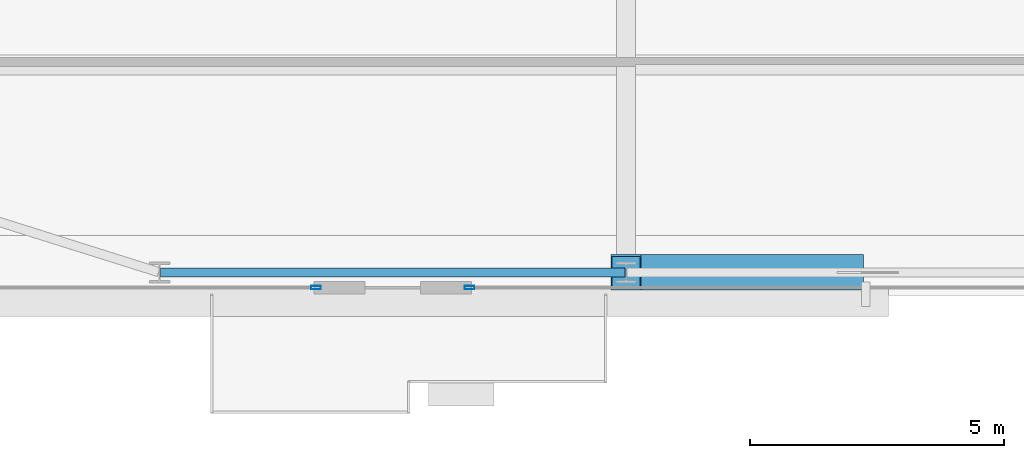
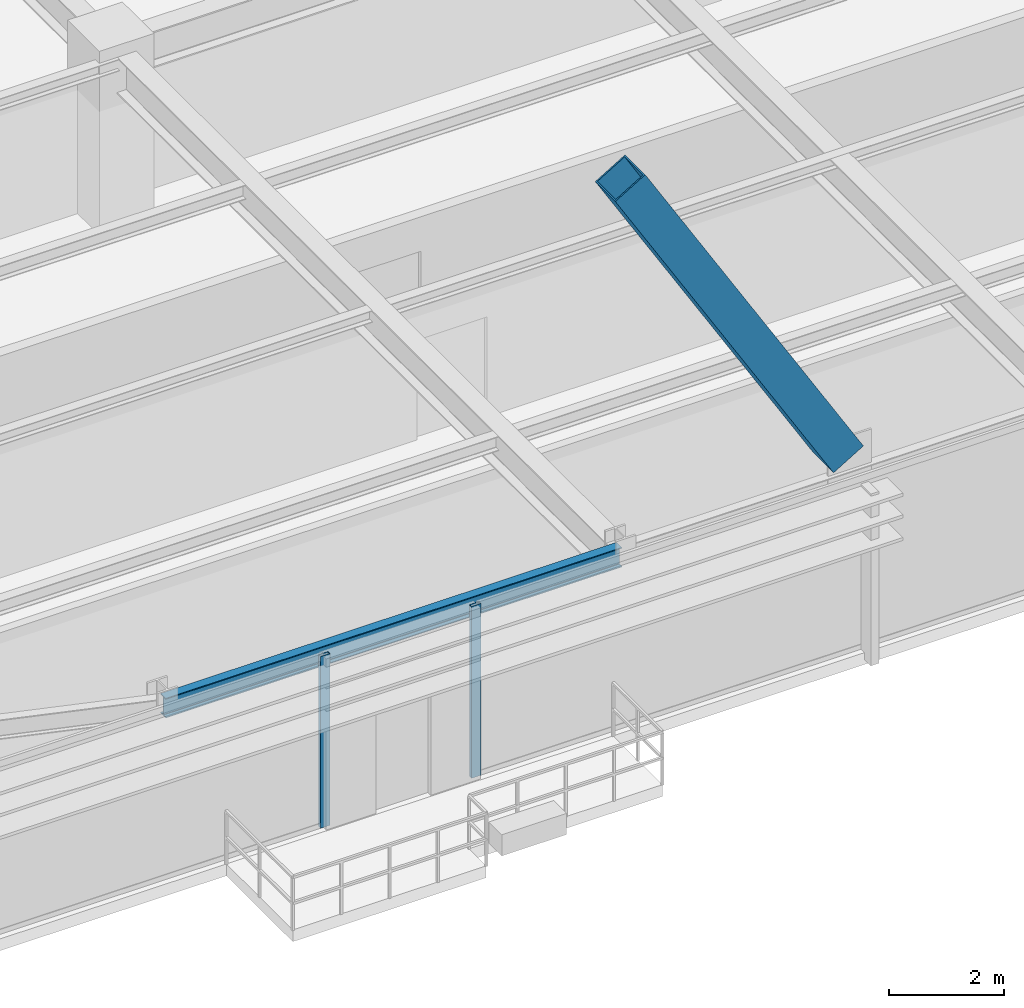
# One storey, part 5 of 34: 3 members, 1 beam, 2 elements without a shape of their own.
"""IFC4 building model written with IfcOpenShell, lengths in metres."""

from ifc_helpers import new_model, si_unit, direction, frame, origin, origin_2d, place, context, subcontext, project, spatial, hollow_rectangle, i_section, extrude, source, transform, mapped, material, layer, layer_set, material_profile, profile_set, type_object, type_shapes, element, aggregate, save


model = new_model("IFC4")

# Units and contexts
model_context = context("Model", 3, precision=1e-05, world=origin(), true_north=direction((0.0, 1.0)))
body_context = subcontext(model_context, "Body", "Model", "MODEL_VIEW")
ifc_project = project(units=[si_unit("LENGTHUNIT", "METRE"), si_unit("AREAUNIT", "SQUARE_METRE"), si_unit("VOLUMEUNIT", "CUBIC_METRE"), si_unit("PLANEANGLEUNIT", "RADIAN"), si_unit("MASSUNIT", "GRAM", prefix="KILO")], contexts=[model_context])

# Site, building, storey
site_placement = place(None, origin())
site = spatial("IfcSite", under=ifc_project, at=site_placement, CompositionType="ELEMENT")
building_placement = place(site_placement, origin())
building = spatial("IfcBuilding", under=site, at=building_placement, Name="Varnel Quay Broadcast Tower", CompositionType="ELEMENT")
storey_placement = place(building_placement, frame((0.0, 0.0, 47.10009765625)))
storey = spatial("IfcBuildingStorey", under=building, at=storey_placement, Name="L10", CompositionType="ELEMENT", Elevation=47.10009765625)

# Beam
ifc_material_1 = material(Name="Structural Steel CSA G40.21 350W", Category="steel")
ifc_material_profile_1 = material_profile(ifc_material_1, i_section(OverallWidth=0.180908203125, OverallDepth=0.4169921875, WebThickness=0.010986328125, FlangeThickness=0.018310546875, FilletRadius=0.011962890625, at=origin_2d()), Name="W410X85")
ifc_profile_set_1 = profile_set([ifc_material_profile_1], Name="Structural Steel CSA G40.21 350W")
beam_type = type_object("IfcBeamType", Name="Beam_W410X85", PredefinedType="SPANDREL", material=ifc_profile_set_1)
shared_shape_1 = source(origin(), body_context, "Body", "SweptSolid", [
    extrude(i_section(OverallWidth=0.180908203125, OverallDepth=0.4169921875, WebThickness=0.010986328125, FlangeThickness=0.018310546875, FilletRadius=0.011962890625, at=origin_2d()), origin(), (0.0, 0.0, 1.0), 9.159912109375),
])
type_shapes(beam_type, [shared_shape_1])
beam_placement = place(storey_placement, frame((15.6201171875, 1.64990234375, 3.44140625), z_axis=(1.0, 0.0, 0.0), x_axis=(0.0, 1.0, 0.0)))
element("IfcBeam", 1, at=beam_placement, inside=storey, type_object=beam_type, Name="L10 South Spandrel TC-S1-TC-S2", PredefinedType="SPANDREL", context=body_context, shape_type="MappedRepresentation", body=[
    mapped(shared_shape_1, transform((0.0, 0.0, 0.0), x_axis=(1.0, 0.0, 0.0), y_axis=(0.0, 1.0, 0.0), z_axis=(0.0, 0.0, 1.0), scale=1.0)),
])

# Member
ifc_material_2 = material(Name="Structural Steel CSA G40.21 350WT", Category="steel")
ifc_material_profile_2 = material_profile(ifc_material_2, hollow_rectangle(XDim=0.699951171875, YDim=0.699951171875, WallThickness=0.031982421875, at=origin_2d()), Name="BOX700X700X32")
ifc_profile_set_2 = profile_set([ifc_material_profile_2], Name="Structural Steel CSA G40.21 350WT")
member_type_1 = type_object("IfcMemberType", Name="Brace_BOX700X700X32", PredefinedType="BRACE", material=ifc_profile_set_2)
shared_shape_2 = source(origin(), body_context, "Body", "SweptSolid", [
    extrude(hollow_rectangle(XDim=0.699951171875, YDim=0.699951171875, WallThickness=0.031982421875, at=origin_2d()), origin(), (0.0, 0.0, 1.0), 8.509521484375),
])
type_shapes(member_type_1, [shared_shape_2])
member_1_placement = place(storey_placement, frame((29.182861328125, 1.64990234375, 4.135986328125), z_axis=(-0.51505258093, 0.0, 0.857158584439), x_axis=(0.0, -1.0, 0.0)))
element("IfcMember", 2, at=member_1_placement, inside=storey, type_object=member_type_1, Name="Zone 1 Mega-Brace S-C1T2 Split Diag B2", PredefinedType="BRACE", context=body_context, shape_type="MappedRepresentation", body=[
    mapped(shared_shape_2, transform((0.0, 0.0, 0.0), x_axis=(1.0, 0.0, 0.0), y_axis=(0.0, 1.0, 0.0), z_axis=(0.0, 0.0, 1.0), scale=1.0)),
])

# Curtain wall, member
ifc_material_3 = material(Name="Anodised Bronze Aluminium 6063-T6", Category="aluminium")
ifc_layer = layer(ifc_material_3, 0.18994140625, Name="Anodised Bronze Aluminium 6063-T6")
ifc_layer_set = layer_set([ifc_layer], Name="Anodised Bronze Aluminium 6063-T6")
curtain_wall_type = type_object("IfcCurtainWallType", Name="CW_LowerTower", PredefinedType="NOTDEFINED", material=ifc_layer_set)
curtain_wall_1_placement = place(storey_placement, origin())
curtain_wall_1 = element("IfcCurtainWall", 3, at=curtain_wall_1_placement, inside=storey, type_object=curtain_wall_type, Name="L10 South Unitised Curtain Wall 1", PredefinedType="NOTDEFINED")
ifc_material_profile_3 = material_profile(ifc_material_3, hollow_rectangle(XDim=0.070068359375, YDim=0.18994140625, WallThickness=0.00390625, at=origin_2d()), Name="ALU70X190X4")
ifc_profile_set_3 = profile_set([ifc_material_profile_3], Name="Anodised Bronze Aluminium 6063-T6")
member_type_2 = type_object("IfcMemberType", Name="Mull_CWS-02", PredefinedType="MULLION", material=ifc_profile_set_3)
shared_shape_3 = source(origin(), body_context, "Body", "SweptSolid", [
    extrude(hollow_rectangle(XDim=0.070068359375, YDim=0.18994140625, WallThickness=0.00390625, at=origin_2d()), origin(), (0.0, 0.0, 1.0), 3.64990234375),
])
type_shapes(member_type_2, [shared_shape_3])
member_2_placement = place(storey_placement, frame((18.68505859375, 1.35009765625, 0.0), z_axis=(0.0, 0.0, 1.0), x_axis=(0.0, 1.0, 0.0)))
member_2 = element("IfcMember", 4, at=member_2_placement, type_object=member_type_2, Name="CWS-02 mullion 2", PredefinedType="MULLION", context=body_context, shape_type="MappedRepresentation", body=[
    mapped(shared_shape_3, transform((0.0, 0.0, 0.0), x_axis=(1.0, 0.0, 0.0), y_axis=(0.0, 1.0, 0.0), z_axis=(0.0, 0.0, 1.0), scale=1.0)),
])
aggregate(curtain_wall_1, [member_2])

curtain_wall_2_placement = place(storey_placement, origin())
curtain_wall_2 = element("IfcCurtainWall", 5, at=curtain_wall_2_placement, inside=storey, type_object=curtain_wall_type, Name="L10 South Unitised Curtain Wall 2", PredefinedType="NOTDEFINED")
member_3_placement = place(storey_placement, frame((21.715087890625, 1.35009765625, 0.0), z_axis=(0.0, 0.0, 1.0), x_axis=(0.0, 1.0, 0.0)))
member_3 = element("IfcMember", 6, at=member_3_placement, type_object=member_type_2, Name="CWS-02 mullion 1", PredefinedType="MULLION", context=body_context, shape_type="MappedRepresentation", body=[
    mapped(shared_shape_3, transform((0.0, 0.0, 0.0), x_axis=(1.0, 0.0, 0.0), y_axis=(0.0, 1.0, 0.0), z_axis=(0.0, 0.0, 1.0), scale=1.0)),
])
aggregate(curtain_wall_2, [member_3])

save(model, "model.ifc")
